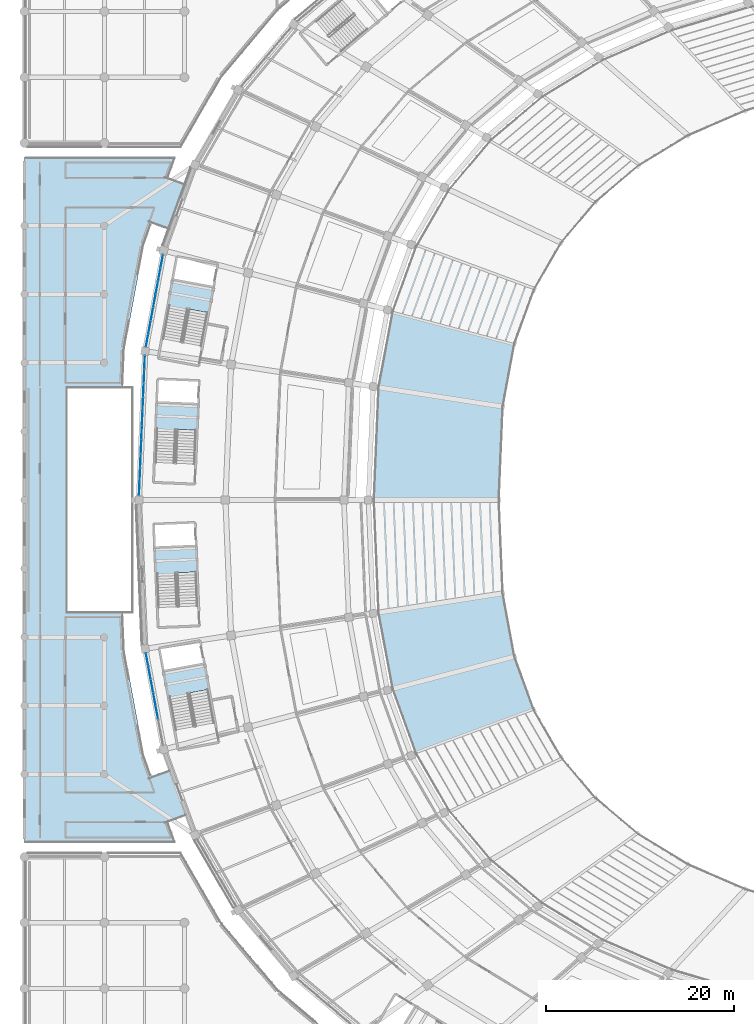
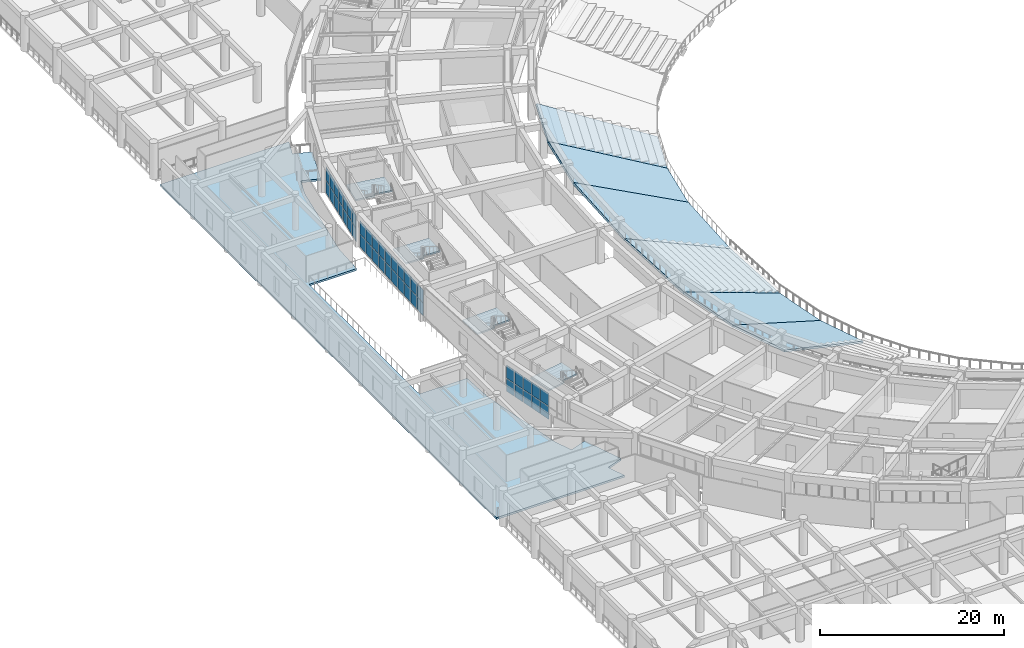
# One storey, part 81 of 152: 44 plates, 11 slabs, 7 elements without a shape of their own.
"""IFC4 building model written with IfcOpenShell, lengths in metres."""

from ifc_helpers import new_model, si_unit, direction, frame, origin, origin_2d, place, context, subcontext, project, spatial, polyline, rectangle, outline, extrude, material, layer, layer_set, type_object, element, aggregate, save


model = new_model("IFC4")

# Units and contexts
model_context = context("Model", 3, precision=1e-05, world=origin(), true_north=direction((0.0, 1.0)))
body_context = subcontext(model_context, "Body", "Model", "MODEL_VIEW")
ifc_project = project(units=[si_unit("LENGTHUNIT", "METRE"), si_unit("AREAUNIT", "SQUARE_METRE"), si_unit("VOLUMEUNIT", "CUBIC_METRE"), si_unit("PLANEANGLEUNIT", "RADIAN"), si_unit("MASSUNIT", "GRAM", prefix="KILO")], contexts=[model_context])

# Site, building, storey
site_placement = place(None, origin())
site = spatial("IfcSite", under=ifc_project, at=site_placement, CompositionType="ELEMENT")
building_placement = place(site_placement, origin())
building = spatial("IfcBuilding", under=site, at=building_placement, Name="Mphavela Belvedere Stadium", CompositionType="ELEMENT")
storey_placement = place(building_placement, frame((0.0, 0.0, 5.39990234375)))
storey = spatial("IfcBuildingStorey", under=building, at=storey_placement, Name="L01", CompositionType="ELEMENT", Elevation=5.39990234375)

# Curtain wall, plates
ifc_material_1 = material(Name="Anodised bronze unitised curtain wall framing")
ifc_layer_1 = layer(ifc_material_1, 0.18505859375)
ifc_layer_set_1 = layer_set([ifc_layer_1], Name="Anodised bronze unitised curtain wall framing")
curtain_wall_type_1 = type_object("IfcCurtainWallType", Name="CW-UNIT-02", PredefinedType="USERDEFINED", material=ifc_layer_set_1)
curtain_wall_1_placement = place(storey_placement, origin())
curtain_wall_1 = element("IfcCurtainWall", 1, at=curtain_wall_1_placement, inside=storey, type_object=curtain_wall_type_1, Name="Belvedere colonnade curtain wall L01-23", ObjectType="UNITISED CURTAIN WALL", PredefinedType="USERDEFINED")
ifc_material_2 = material(Name="Solar-control double glazing", Category="glass")
ifc_layer_2 = layer(ifc_material_2, 0.031982421875)
ifc_layer_set_2 = layer_set([ifc_layer_2], Name="Solar-control double glazing")
plate_type = type_object("IfcPlateType", Name="CWP-SOLAR-GLASS", PredefinedType="CURTAIN_PANEL", material=ifc_layer_set_2)
plate_1_placement = place(storey_placement, frame((14.6240234375, 112.424560546875, 0.06005859375), z_axis=(0.0, 0.0, 1.0), x_axis=(-0.182619524814, -0.983183659932, 0.0)))
plate_1 = element("IfcPlate", 2, at=plate_1_placement, type_object=plate_type, Name="CW-02 panel 1.1", PredefinedType="CURTAIN_PANEL", context=body_context, shape_type="SweptSolid", body=[
    extrude(rectangle(XDim=1.3388671875, YDim=0.031982421875, at=origin_2d()), origin(), (0.0, 0.0, 1.0), 1.695068359375),
])
plate_2_placement = place(storey_placement, frame((14.6240234375, 112.424560546875, 1.81494140625), z_axis=(0.0, 0.0, 1.0), x_axis=(-0.182619524814, -0.983183659932, 0.0)))
plate_2 = element("IfcPlate", 3, at=plate_2_placement, type_object=plate_type, Name="CW-02 panel 1.2", PredefinedType="CURTAIN_PANEL", context=body_context, shape_type="SweptSolid", body=[
    extrude(rectangle(XDim=1.3388671875, YDim=0.031982421875, at=origin_2d()), origin(), (0.0, 0.0, 1.0), 1.695068359375),
])
plate_3_placement = place(storey_placement, frame((14.36474609375, 111.0283203125, 0.06005859375), z_axis=(0.0, 0.0, 1.0), x_axis=(-0.182619524814, -0.983183659932, 0.0)))
plate_3 = element("IfcPlate", 4, at=plate_3_placement, type_object=plate_type, Name="CW-02 panel 2.1", PredefinedType="CURTAIN_PANEL", context=body_context, shape_type="SweptSolid", body=[
    extrude(rectangle(XDim=1.371337890625, YDim=0.031982421875, at=origin_2d()), origin(), (0.0, 0.0, 1.0), 1.695068359375),
])
plate_4_placement = place(storey_placement, frame((14.36474609375, 111.0283203125, 1.81494140625), z_axis=(0.0, 0.0, 1.0), x_axis=(-0.182619524814, -0.983183659932, 0.0)))
plate_4 = element("IfcPlate", 5, at=plate_4_placement, type_object=plate_type, Name="CW-02 panel 2.2", PredefinedType="CURTAIN_PANEL", context=body_context, shape_type="SweptSolid", body=[
    extrude(rectangle(XDim=1.371337890625, YDim=0.031982421875, at=origin_2d()), origin(), (0.0, 0.0, 1.0), 1.695068359375),
])
plate_5_placement = place(storey_placement, frame((14.102294921875, 109.615966796875, 0.06005859375), z_axis=(0.0, 0.0, 1.0), x_axis=(-0.182619524814, -0.983183659932, 0.0)))
plate_5 = element("IfcPlate", 6, at=plate_5_placement, type_object=plate_type, Name="CW-02 panel 3.1", PredefinedType="CURTAIN_PANEL", context=body_context, shape_type="SweptSolid", body=[
    extrude(rectangle(XDim=1.371337890625, YDim=0.031982421875, at=origin_2d()), origin(), (0.0, 0.0, 1.0), 1.695068359375),
])
plate_6_placement = place(storey_placement, frame((14.102294921875, 109.615966796875, 1.81494140625), z_axis=(0.0, 0.0, 1.0), x_axis=(-0.182619524814, -0.983183659932, 0.0)))
plate_6 = element("IfcPlate", 7, at=plate_6_placement, type_object=plate_type, Name="CW-02 panel 3.2", PredefinedType="CURTAIN_PANEL", context=body_context, shape_type="SweptSolid", body=[
    extrude(rectangle(XDim=1.371337890625, YDim=0.031982421875, at=origin_2d()), origin(), (0.0, 0.0, 1.0), 1.695068359375),
])
plate_7_placement = place(storey_placement, frame((13.840087890625, 108.203857421875, 0.06005859375), z_axis=(0.0, 0.0, 1.0), x_axis=(-0.182619524814, -0.983183659932, 0.0)))
plate_7 = element("IfcPlate", 8, at=plate_7_placement, type_object=plate_type, Name="CW-02 panel 4.1", PredefinedType="CURTAIN_PANEL", context=body_context, shape_type="SweptSolid", body=[
    extrude(rectangle(XDim=1.371337890625, YDim=0.031982421875, at=origin_2d()), origin(), (0.0, 0.0, 1.0), 1.695068359375),
])
plate_8_placement = place(storey_placement, frame((13.840087890625, 108.203857421875, 1.81494140625), z_axis=(0.0, 0.0, 1.0), x_axis=(-0.182619524814, -0.983183659932, 0.0)))
plate_8 = element("IfcPlate", 9, at=plate_8_placement, type_object=plate_type, Name="CW-02 panel 4.2", PredefinedType="CURTAIN_PANEL", context=body_context, shape_type="SweptSolid", body=[
    extrude(rectangle(XDim=1.371337890625, YDim=0.031982421875, at=origin_2d()), origin(), (0.0, 0.0, 1.0), 1.695068359375),
])
plate_9_placement = place(storey_placement, frame((13.57763671875, 106.79150390625, 0.06005859375), z_axis=(0.0, 0.0, 1.0), x_axis=(-0.182619524814, -0.983183659932, 0.0)))
plate_9 = element("IfcPlate", 10, at=plate_9_placement, type_object=plate_type, Name="CW-02 panel 5.1", PredefinedType="CURTAIN_PANEL", context=body_context, shape_type="SweptSolid", body=[
    extrude(rectangle(XDim=1.371337890625, YDim=0.031982421875, at=origin_2d()), origin(), (0.0, 0.0, 1.0), 1.695068359375),
])
plate_10_placement = place(storey_placement, frame((13.57763671875, 106.79150390625, 1.81494140625), z_axis=(0.0, 0.0, 1.0), x_axis=(-0.182619524814, -0.983183659932, 0.0)))
plate_10 = element("IfcPlate", 11, at=plate_10_placement, type_object=plate_type, Name="CW-02 panel 5.2", PredefinedType="CURTAIN_PANEL", context=body_context, shape_type="SweptSolid", body=[
    extrude(rectangle(XDim=1.371337890625, YDim=0.031982421875, at=origin_2d()), origin(), (0.0, 0.0, 1.0), 1.695068359375),
])
plate_11_placement = place(storey_placement, frame((13.3154296875, 105.379150390625, 0.06005859375), z_axis=(0.0, 0.0, 1.0), x_axis=(-0.182619524814, -0.983183659932, 0.0)))
plate_11 = element("IfcPlate", 12, at=plate_11_placement, type_object=plate_type, Name="CW-02 panel 6.1", PredefinedType="CURTAIN_PANEL", context=body_context, shape_type="SweptSolid", body=[
    extrude(rectangle(XDim=1.371337890625, YDim=0.031982421875, at=origin_2d()), origin(), (0.0, 0.0, 1.0), 1.695068359375),
])
plate_12_placement = place(storey_placement, frame((13.3154296875, 105.379150390625, 1.81494140625), z_axis=(0.0, 0.0, 1.0), x_axis=(-0.182619524814, -0.983183659932, 0.0)))
plate_12 = element("IfcPlate", 13, at=plate_12_placement, type_object=plate_type, Name="CW-02 panel 6.2", PredefinedType="CURTAIN_PANEL", context=body_context, shape_type="SweptSolid", body=[
    extrude(rectangle(XDim=1.371337890625, YDim=0.031982421875, at=origin_2d()), origin(), (0.0, 0.0, 1.0), 1.695068359375),
])
plate_13_placement = place(storey_placement, frame((13.055908203125, 103.98291015625, 0.06005859375), z_axis=(0.0, 0.0, 1.0), x_axis=(-0.182619524814, -0.983183659932, 0.0)))
plate_13 = element("IfcPlate", 14, at=plate_13_placement, type_object=plate_type, Name="CW-02 panel 7.1", PredefinedType="CURTAIN_PANEL", context=body_context, shape_type="SweptSolid", body=[
    extrude(rectangle(XDim=1.3388671875, YDim=0.031982421875, at=origin_2d()), origin(), (0.0, 0.0, 1.0), 1.695068359375),
])
plate_14_placement = place(storey_placement, frame((13.055908203125, 103.98291015625, 1.81494140625), z_axis=(0.0, 0.0, 1.0), x_axis=(-0.182619524814, -0.983183659932, 0.0)))
plate_14 = element("IfcPlate", 15, at=plate_14_placement, type_object=plate_type, Name="CW-02 panel 7.2", PredefinedType="CURTAIN_PANEL", context=body_context, shape_type="SweptSolid", body=[
    extrude(rectangle(XDim=1.3388671875, YDim=0.031982421875, at=origin_2d()), origin(), (0.0, 0.0, 1.0), 1.695068359375),
])
aggregate(curtain_wall_1, [plate_1, plate_2, plate_3, plate_4, plate_5, plate_6, plate_7, plate_8, plate_9, plate_10, plate_11, plate_12, plate_13, plate_14])

ifc_material_3 = material(Name="Anodised bronze unitised curtain wall framing")
ifc_layer_3 = layer(ifc_material_3, 0.18994140625)
ifc_layer_set_3 = layer_set([ifc_layer_3], Name="Anodised bronze unitised curtain wall framing")
curtain_wall_type_2 = type_object("IfcCurtainWallType", Name="CW-UNIT-03", PredefinedType="USERDEFINED", material=ifc_layer_set_3)
curtain_wall_2_placement = place(storey_placement, origin())
curtain_wall_2 = element("IfcCurtainWall", 16, at=curtain_wall_2_placement, inside=storey, type_object=curtain_wall_type_2, Name="Belvedere colonnade curtain wall L01-24", ObjectType="UNITISED CURTAIN WALL", PredefinedType="USERDEFINED")
plate_15_placement = place(storey_placement, frame((12.794677734375, 101.65625, 0.06005859375), z_axis=(0.0, 0.0, 1.0), x_axis=(-0.04191037006, -0.999121374449, 0.0)))
plate_15 = element("IfcPlate", 17, at=plate_15_placement, type_object=plate_type, Name="CW-03 panel 1.1", PredefinedType="CURTAIN_PANEL", context=body_context, shape_type="SweptSolid", body=[
    extrude(rectangle(XDim=1.40380859375, YDim=0.031982421875, at=origin_2d()), origin(), (0.0, 0.0, 1.0), 1.695068359375),
])
plate_16_placement = place(storey_placement, frame((12.794677734375, 101.65625, 1.81494140625), z_axis=(0.0, 0.0, 1.0), x_axis=(-0.04191037006, -0.999121374449, 0.0)))
plate_16 = element("IfcPlate", 18, at=plate_16_placement, type_object=plate_type, Name="CW-03 panel 1.2", PredefinedType="CURTAIN_PANEL", context=body_context, shape_type="SweptSolid", body=[
    extrude(rectangle(XDim=1.40380859375, YDim=0.031982421875, at=origin_2d()), origin(), (0.0, 0.0, 1.0), 1.695068359375),
])
plate_17_placement = place(storey_placement, frame((12.732421875, 100.17236328125, 0.06005859375), z_axis=(0.0, 0.0, 1.0), x_axis=(-0.04191037006, -0.999121374449, 0.0)))
plate_17 = element("IfcPlate", 19, at=plate_17_placement, type_object=plate_type, Name="CW-03 panel 2.1", PredefinedType="CURTAIN_PANEL", context=body_context, shape_type="SweptSolid", body=[
    extrude(rectangle(XDim=1.436279296875, YDim=0.031982421875, at=origin_2d()), origin(), (0.0, 0.0, 1.0), 1.695068359375),
])
plate_18_placement = place(storey_placement, frame((12.732421875, 100.17236328125, 1.81494140625), z_axis=(0.0, 0.0, 1.0), x_axis=(-0.04191037006, -0.999121374449, 0.0)))
plate_18 = element("IfcPlate", 20, at=plate_18_placement, type_object=plate_type, Name="CW-03 panel 2.2", PredefinedType="CURTAIN_PANEL", context=body_context, shape_type="SweptSolid", body=[
    extrude(rectangle(XDim=1.436279296875, YDim=0.031982421875, at=origin_2d()), origin(), (0.0, 0.0, 1.0), 1.695068359375),
])
plate_19_placement = place(storey_placement, frame((12.669677734375, 98.67236328125, 0.06005859375), z_axis=(0.0, 0.0, 1.0), x_axis=(-0.04191037006, -0.999121374449, 0.0)))
plate_19 = element("IfcPlate", 21, at=plate_19_placement, type_object=plate_type, Name="CW-03 panel 3.1", PredefinedType="CURTAIN_PANEL", context=body_context, shape_type="SweptSolid", body=[
    extrude(rectangle(XDim=1.436279296875, YDim=0.031982421875, at=origin_2d()), origin(), (0.0, 0.0, 1.0), 1.695068359375),
])
plate_20_placement = place(storey_placement, frame((12.669677734375, 98.67236328125, 1.81494140625), z_axis=(0.0, 0.0, 1.0), x_axis=(-0.04191037006, -0.999121374449, 0.0)))
plate_20 = element("IfcPlate", 22, at=plate_20_placement, type_object=plate_type, Name="CW-03 panel 3.2", PredefinedType="CURTAIN_PANEL", context=body_context, shape_type="SweptSolid", body=[
    extrude(rectangle(XDim=1.436279296875, YDim=0.031982421875, at=origin_2d()), origin(), (0.0, 0.0, 1.0), 1.695068359375),
])
plate_21_placement = place(storey_placement, frame((12.606689453125, 97.17236328125, 0.06005859375), z_axis=(0.0, 0.0, 1.0), x_axis=(-0.04191037006, -0.999121374449, 0.0)))
plate_21 = element("IfcPlate", 23, at=plate_21_placement, type_object=plate_type, Name="CW-03 panel 4.1", PredefinedType="CURTAIN_PANEL", context=body_context, shape_type="SweptSolid", body=[
    extrude(rectangle(XDim=1.436279296875, YDim=0.031982421875, at=origin_2d()), origin(), (0.0, 0.0, 1.0), 1.695068359375),
])
plate_22_placement = place(storey_placement, frame((12.606689453125, 97.17236328125, 1.81494140625), z_axis=(0.0, 0.0, 1.0), x_axis=(-0.04191037006, -0.999121374449, 0.0)))
plate_22 = element("IfcPlate", 24, at=plate_22_placement, type_object=plate_type, Name="CW-03 panel 4.2", PredefinedType="CURTAIN_PANEL", context=body_context, shape_type="SweptSolid", body=[
    extrude(rectangle(XDim=1.436279296875, YDim=0.031982421875, at=origin_2d()), origin(), (0.0, 0.0, 1.0), 1.695068359375),
])
plate_23_placement = place(storey_placement, frame((12.543701171875, 95.672607421875, 0.06005859375), z_axis=(0.0, 0.0, 1.0), x_axis=(-0.04191037006, -0.999121374449, 0.0)))
plate_23 = element("IfcPlate", 25, at=plate_23_placement, type_object=plate_type, Name="CW-03 panel 5.1", PredefinedType="CURTAIN_PANEL", context=body_context, shape_type="SweptSolid", body=[
    extrude(rectangle(XDim=1.436279296875, YDim=0.031982421875, at=origin_2d()), origin(), (0.0, 0.0, 1.0), 1.695068359375),
])
plate_24_placement = place(storey_placement, frame((12.543701171875, 95.672607421875, 1.81494140625), z_axis=(0.0, 0.0, 1.0), x_axis=(-0.04191037006, -0.999121374449, 0.0)))
plate_24 = element("IfcPlate", 26, at=plate_24_placement, type_object=plate_type, Name="CW-03 panel 5.2", PredefinedType="CURTAIN_PANEL", context=body_context, shape_type="SweptSolid", body=[
    extrude(rectangle(XDim=1.436279296875, YDim=0.031982421875, at=origin_2d()), origin(), (0.0, 0.0, 1.0), 1.695068359375),
])
plate_25_placement = place(storey_placement, frame((12.48095703125, 94.172607421875, 0.06005859375), z_axis=(0.0, 0.0, 1.0), x_axis=(-0.04191037006, -0.999121374449, 0.0)))
plate_25 = element("IfcPlate", 27, at=plate_25_placement, type_object=plate_type, Name="CW-03 panel 6.1", PredefinedType="CURTAIN_PANEL", context=body_context, shape_type="SweptSolid", body=[
    extrude(rectangle(XDim=1.436279296875, YDim=0.031982421875, at=origin_2d()), origin(), (0.0, 0.0, 1.0), 1.695068359375),
])
plate_26_placement = place(storey_placement, frame((12.48095703125, 94.172607421875, 1.81494140625), z_axis=(0.0, 0.0, 1.0), x_axis=(-0.04191037006, -0.999121374449, 0.0)))
plate_26 = element("IfcPlate", 28, at=plate_26_placement, type_object=plate_type, Name="CW-03 panel 6.2", PredefinedType="CURTAIN_PANEL", context=body_context, shape_type="SweptSolid", body=[
    extrude(rectangle(XDim=1.436279296875, YDim=0.031982421875, at=origin_2d()), origin(), (0.0, 0.0, 1.0), 1.695068359375),
])
plate_27_placement = place(storey_placement, frame((12.41796875, 92.672607421875, 0.06005859375), z_axis=(0.0, 0.0, 1.0), x_axis=(-0.04191037006, -0.999121374449, 0.0)))
plate_27 = element("IfcPlate", 29, at=plate_27_placement, type_object=plate_type, Name="CW-03 panel 7.1", PredefinedType="CURTAIN_PANEL", context=body_context, shape_type="SweptSolid", body=[
    extrude(rectangle(XDim=1.436279296875, YDim=0.031982421875, at=origin_2d()), origin(), (0.0, 0.0, 1.0), 1.695068359375),
])
plate_28_placement = place(storey_placement, frame((12.41796875, 92.672607421875, 1.81494140625), z_axis=(0.0, 0.0, 1.0), x_axis=(-0.04191037006, -0.999121374449, 0.0)))
plate_28 = element("IfcPlate", 30, at=plate_28_placement, type_object=plate_type, Name="CW-03 panel 7.2", PredefinedType="CURTAIN_PANEL", context=body_context, shape_type="SweptSolid", body=[
    extrude(rectangle(XDim=1.436279296875, YDim=0.031982421875, at=origin_2d()), origin(), (0.0, 0.0, 1.0), 1.695068359375),
])
plate_29_placement = place(storey_placement, frame((12.35498046875, 91.172607421875, 0.06005859375), z_axis=(0.0, 0.0, 1.0), x_axis=(-0.04191037006, -0.999121374449, 0.0)))
plate_29 = element("IfcPlate", 31, at=plate_29_placement, type_object=plate_type, Name="CW-03 panel 8.1", PredefinedType="CURTAIN_PANEL", context=body_context, shape_type="SweptSolid", body=[
    extrude(rectangle(XDim=1.436279296875, YDim=0.031982421875, at=origin_2d()), origin(), (0.0, 0.0, 1.0), 1.695068359375),
])
plate_30_placement = place(storey_placement, frame((12.35498046875, 91.172607421875, 1.81494140625), z_axis=(0.0, 0.0, 1.0), x_axis=(-0.04191037006, -0.999121374449, 0.0)))
plate_30 = element("IfcPlate", 32, at=plate_30_placement, type_object=plate_type, Name="CW-03 panel 8.2", PredefinedType="CURTAIN_PANEL", context=body_context, shape_type="SweptSolid", body=[
    extrude(rectangle(XDim=1.436279296875, YDim=0.031982421875, at=origin_2d()), origin(), (0.0, 0.0, 1.0), 1.695068359375),
])
plate_31_placement = place(storey_placement, frame((12.2919921875, 89.672607421875, 0.06005859375), z_axis=(0.0, 0.0, 1.0), x_axis=(-0.04191037006, -0.999121374449, 0.0)))
plate_31 = element("IfcPlate", 33, at=plate_31_placement, type_object=plate_type, Name="CW-03 panel 9.1", PredefinedType="CURTAIN_PANEL", context=body_context, shape_type="SweptSolid", body=[
    extrude(rectangle(XDim=1.436279296875, YDim=0.031982421875, at=origin_2d()), origin(), (0.0, 0.0, 1.0), 1.695068359375),
])
plate_32_placement = place(storey_placement, frame((12.2919921875, 89.672607421875, 1.81494140625), z_axis=(0.0, 0.0, 1.0), x_axis=(-0.04191037006, -0.999121374449, 0.0)))
plate_32 = element("IfcPlate", 34, at=plate_32_placement, type_object=plate_type, Name="CW-03 panel 9.2", PredefinedType="CURTAIN_PANEL", context=body_context, shape_type="SweptSolid", body=[
    extrude(rectangle(XDim=1.436279296875, YDim=0.031982421875, at=origin_2d()), origin(), (0.0, 0.0, 1.0), 1.695068359375),
])
plate_33_placement = place(storey_placement, frame((12.229736328125, 88.188720703125, 0.06005859375), z_axis=(0.0, 0.0, 1.0), x_axis=(-0.04191037006, -0.999121374449, 0.0)))
plate_33 = element("IfcPlate", 35, at=plate_33_placement, type_object=plate_type, Name="CW-03 panel 10.1", PredefinedType="CURTAIN_PANEL", context=body_context, shape_type="SweptSolid", body=[
    extrude(rectangle(XDim=1.40380859375, YDim=0.031982421875, at=origin_2d()), origin(), (0.0, 0.0, 1.0), 1.695068359375),
])
plate_34_placement = place(storey_placement, frame((12.229736328125, 88.188720703125, 1.81494140625), z_axis=(0.0, 0.0, 1.0), x_axis=(-0.04191037006, -0.999121374449, 0.0)))
plate_34 = element("IfcPlate", 36, at=plate_34_placement, type_object=plate_type, Name="CW-03 panel 10.2", PredefinedType="CURTAIN_PANEL", context=body_context, shape_type="SweptSolid", body=[
    extrude(rectangle(XDim=1.40380859375, YDim=0.031982421875, at=origin_2d()), origin(), (0.0, 0.0, 1.0), 1.695068359375),
])
aggregate(curtain_wall_2, [plate_15, plate_16, plate_17, plate_18, plate_19, plate_20, plate_21, plate_22, plate_23, plate_24, plate_25, plate_26, plate_27, plate_28, plate_29, plate_30, plate_31, plate_32, plate_33, plate_34])

ifc_material_4 = material(Name="Anodised bronze unitised curtain wall framing")
ifc_layer_4 = layer(ifc_material_4, 0.195068359375)
ifc_layer_set_4 = layer_set([ifc_layer_4], Name="Anodised bronze unitised curtain wall framing")
curtain_wall_type_3 = type_object("IfcCurtainWallType", Name="CW-UNIT-04", PredefinedType="USERDEFINED", material=ifc_layer_set_4)
curtain_wall_3_placement = place(storey_placement, origin())
curtain_wall_3 = element("IfcCurtainWall", 37, at=curtain_wall_3_placement, inside=storey, type_object=curtain_wall_type_3, Name="Belvedere colonnade curtain wall L01-26", ObjectType="UNITISED CURTAIN WALL", PredefinedType="USERDEFINED")
plate_35_placement = place(storey_placement, frame((13.055908203125, 70.01708984375, 0.06005859375), z_axis=(0.0, 0.0, 1.0), x_axis=(0.182619524814, -0.983183659932, 0.0)))
plate_35 = element("IfcPlate", 38, at=plate_35_placement, type_object=plate_type, Name="CW-04 panel 1.1", PredefinedType="CURTAIN_PANEL", context=body_context, shape_type="SweptSolid", body=[
    extrude(rectangle(XDim=1.3388671875, YDim=0.031982421875, at=origin_2d()), origin(), (0.0, 0.0, 1.0), 1.695068359375),
])
plate_36_placement = place(storey_placement, frame((13.055908203125, 70.01708984375, 1.81494140625), z_axis=(0.0, 0.0, 1.0), x_axis=(0.182619524814, -0.983183659932, 0.0)))
plate_36 = element("IfcPlate", 39, at=plate_36_placement, type_object=plate_type, Name="CW-04 panel 1.2", PredefinedType="CURTAIN_PANEL", context=body_context, shape_type="SweptSolid", body=[
    extrude(rectangle(XDim=1.3388671875, YDim=0.031982421875, at=origin_2d()), origin(), (0.0, 0.0, 1.0), 1.695068359375),
])
plate_37_placement = place(storey_placement, frame((13.3154296875, 68.620849609375, 0.06005859375), z_axis=(0.0, 0.0, 1.0), x_axis=(0.182619524814, -0.983183659932, 0.0)))
plate_37 = element("IfcPlate", 40, at=plate_37_placement, type_object=plate_type, Name="CW-04 panel 2.1", PredefinedType="CURTAIN_PANEL", context=body_context, shape_type="SweptSolid", body=[
    extrude(rectangle(XDim=1.371337890625, YDim=0.031982421875, at=origin_2d()), origin(), (0.0, 0.0, 1.0), 1.695068359375),
])
plate_38_placement = place(storey_placement, frame((13.3154296875, 68.620849609375, 1.81494140625), z_axis=(0.0, 0.0, 1.0), x_axis=(0.182619524814, -0.983183659932, 0.0)))
plate_38 = element("IfcPlate", 41, at=plate_38_placement, type_object=plate_type, Name="CW-04 panel 2.2", PredefinedType="CURTAIN_PANEL", context=body_context, shape_type="SweptSolid", body=[
    extrude(rectangle(XDim=1.371337890625, YDim=0.031982421875, at=origin_2d()), origin(), (0.0, 0.0, 1.0), 1.695068359375),
])
plate_39_placement = place(storey_placement, frame((13.57763671875, 67.20849609375, 0.06005859375), z_axis=(0.0, 0.0, 1.0), x_axis=(0.182619524814, -0.983183659932, 0.0)))
plate_39 = element("IfcPlate", 42, at=plate_39_placement, type_object=plate_type, Name="CW-04 panel 3.1", PredefinedType="CURTAIN_PANEL", context=body_context, shape_type="SweptSolid", body=[
    extrude(rectangle(XDim=1.371337890625, YDim=0.031982421875, at=origin_2d()), origin(), (0.0, 0.0, 1.0), 1.695068359375),
])
plate_40_placement = place(storey_placement, frame((13.57763671875, 67.20849609375, 1.81494140625), z_axis=(0.0, 0.0, 1.0), x_axis=(0.182619524814, -0.983183659932, 0.0)))
plate_40 = element("IfcPlate", 43, at=plate_40_placement, type_object=plate_type, Name="CW-04 panel 3.2", PredefinedType="CURTAIN_PANEL", context=body_context, shape_type="SweptSolid", body=[
    extrude(rectangle(XDim=1.371337890625, YDim=0.031982421875, at=origin_2d()), origin(), (0.0, 0.0, 1.0), 1.695068359375),
])
plate_41_placement = place(storey_placement, frame((13.840087890625, 65.796142578125, 0.06005859375), z_axis=(0.0, 0.0, 1.0), x_axis=(0.182619524814, -0.983183659932, 0.0)))
plate_41 = element("IfcPlate", 44, at=plate_41_placement, type_object=plate_type, Name="CW-04 panel 4.1", PredefinedType="CURTAIN_PANEL", context=body_context, shape_type="SweptSolid", body=[
    extrude(rectangle(XDim=1.371337890625, YDim=0.031982421875, at=origin_2d()), origin(), (0.0, 0.0, 1.0), 1.695068359375),
])
plate_42_placement = place(storey_placement, frame((13.840087890625, 65.796142578125, 1.81494140625), z_axis=(0.0, 0.0, 1.0), x_axis=(0.182619524814, -0.983183659932, 0.0)))
plate_42 = element("IfcPlate", 45, at=plate_42_placement, type_object=plate_type, Name="CW-04 panel 4.2", PredefinedType="CURTAIN_PANEL", context=body_context, shape_type="SweptSolid", body=[
    extrude(rectangle(XDim=1.371337890625, YDim=0.031982421875, at=origin_2d()), origin(), (0.0, 0.0, 1.0), 1.695068359375),
])
plate_43_placement = place(storey_placement, frame((14.102294921875, 64.384033203125, 0.06005859375), z_axis=(0.0, 0.0, 1.0), x_axis=(0.182619524814, -0.983183659932, 0.0)))
plate_43 = element("IfcPlate", 46, at=plate_43_placement, type_object=plate_type, Name="CW-04 panel 5.1", PredefinedType="CURTAIN_PANEL", context=body_context, shape_type="SweptSolid", body=[
    extrude(rectangle(XDim=1.371337890625, YDim=0.031982421875, at=origin_2d()), origin(), (0.0, 0.0, 1.0), 1.695068359375),
])
plate_44_placement = place(storey_placement, frame((14.102294921875, 64.384033203125, 1.81494140625), z_axis=(0.0, 0.0, 1.0), x_axis=(0.182619524814, -0.983183659932, 0.0)))
plate_44 = element("IfcPlate", 47, at=plate_44_placement, type_object=plate_type, Name="CW-04 panel 5.2", PredefinedType="CURTAIN_PANEL", context=body_context, shape_type="SweptSolid", body=[
    extrude(rectangle(XDim=1.371337890625, YDim=0.031982421875, at=origin_2d()), origin(), (0.0, 0.0, 1.0), 1.695068359375),
])
aggregate(curtain_wall_3, [plate_35, plate_36, plate_37, plate_38, plate_39, plate_40, plate_41, plate_42, plate_43, plate_44])

# Stair, slab
ifc_material_5 = material(Name="Concrete C40/50", Category="concrete")
stair_type_1 = type_object("IfcStairType", Name="STR-HALF-TURN-3", PredefinedType="HALF_TURN_STAIR", material=ifc_material_5)
stair_1_placement = place(storey_placement, origin())
stair_1 = element("IfcStair", 48, at=stair_1_placement, inside=storey, type_object=stair_type_1, Name="L01 Escape stair core C06", PredefinedType="HALF_TURN_STAIR")
ifc_material_6 = material(Name="Concrete C40/50", Category="concrete")
ifc_layer_5 = layer(ifc_material_6, 0.199951171875)
ifc_layer_set_5 = layer_set([ifc_layer_5], Name="Concrete C40/50")
slab_type_1 = type_object("IfcSlabType", Name="SLB-LANDING-200", PredefinedType="LANDING", material=ifc_layer_set_5)
slab_1_placement = place(storey_placement, frame((0.0, 0.0, 2.2001953125)))
slab_1 = element("IfcSlab", 49, at=slab_1_placement, type_object=slab_type_1, Name="ST-C06 landing 1", PredefinedType="LANDING", context=body_context, shape_type="SweptSolid", body=[
    extrude(outline(polyline([(19.62353515625, 106.930419921875), (20.113037109375, 109.56640625), (15.757568359375, 110.375244140625), (15.203125, 107.39013671875), (17.381103515625, 106.98583984375), (17.44580078125, 107.334716796875), (19.62353515625, 106.930419921875)])), origin(), (0.0, 0.0, 1.0), 0.199951171875),
])
aggregate(stair_1, [slab_1])

ifc_material_7 = material(Name="Concrete C40/50", Category="concrete")
stair_type_2 = type_object("IfcStairType", Name="STR-HALF-TURN-1", PredefinedType="HALF_TURN_STAIR", material=ifc_material_7)
stair_2_placement = place(storey_placement, origin())
stair_2 = element("IfcStair", 50, at=stair_2_placement, inside=storey, type_object=stair_type_2, Name="L01 Escape stair core C07", PredefinedType="HALF_TURN_STAIR")
slab_2_placement = place(storey_placement, frame((0.0, 0.0, 2.2001953125)))
slab_2 = element("IfcSlab", 51, at=slab_2_placement, type_object=slab_type_1, Name="ST-C07 landing 1", PredefinedType="LANDING", context=body_context, shape_type="SweptSolid", body=[
    extrude(outline(polyline([(18.394287109375, 94.434326171875), (18.506591796875, 97.113037109375), (14.08056640625, 97.298583984375), (13.95361328125, 94.26513671875), (16.16650390625, 94.17236328125), (16.181396484375, 94.527099609375), (18.394287109375, 94.434326171875)])), origin(), (0.0, 0.0, 1.0), 0.199951171875),
])
aggregate(stair_2, [slab_2])

ifc_material_8 = material(Name="Concrete C40/50", Category="concrete")
stair_type_3 = type_object("IfcStairType", Name="STR-HALF-TURN-2", PredefinedType="HALF_TURN_STAIR", material=ifc_material_8)
stair_3_placement = place(storey_placement, origin())
stair_3 = element("IfcStair", 52, at=stair_3_placement, inside=storey, type_object=stair_type_3, Name="L01 Escape stair core C08", PredefinedType="HALF_TURN_STAIR")
slab_3_placement = place(storey_placement, frame((0.0, 0.0, 2.2001953125)))
slab_3 = element("IfcSlab", 53, at=slab_3_placement, type_object=slab_type_1, Name="ST-C08 landing 1", PredefinedType="LANDING", context=body_context, shape_type="SweptSolid", body=[
    extrude(outline(polyline([(18.40380859375, 79.343994140625), (18.29150390625, 82.0224609375), (13.865234375, 81.8369140625), (13.992431640625, 78.8037109375), (16.20556640625, 78.896484375), (16.190673828125, 79.251220703125), (18.40380859375, 79.343994140625)])), origin(), (0.0, 0.0, 1.0), 0.199951171875),
])
aggregate(stair_3, [slab_3])

stair_4_placement = place(storey_placement, origin())
stair_4 = element("IfcStair", 54, at=stair_4_placement, inside=storey, type_object=stair_type_1, Name="L01 Escape stair core C09", PredefinedType="HALF_TURN_STAIR")
slab_4_placement = place(storey_placement, frame((0.0, 0.0, 2.2001953125)))
slab_4 = element("IfcSlab", 55, at=slab_4_placement, type_object=slab_type_1, Name="ST-C09 landing 1", PredefinedType="LANDING", context=body_context, shape_type="SweptSolid", body=[
    extrude(outline(polyline([(19.6640625, 66.851318359375), (19.174560546875, 69.4873046875), (14.819091796875, 68.678466796875), (15.373291015625, 65.693603515625), (17.551025390625, 66.097900390625), (17.486328125, 66.447021484375), (19.6640625, 66.851318359375)])), origin(), (0.0, 0.0, 1.0), 0.199951171875),
])
aggregate(stair_4, [slab_4])

# Slabs
ifc_material_9 = material(Name="Concrete C40/50", Category="concrete")
ifc_layer_6 = layer(ifc_material_9, 0.260009765625)
ifc_layer_set_6 = layer_set([ifc_layer_6], Name="Concrete C40/50")
slab_type_2 = type_object("IfcSlabType", Name="SLB-PAVILION-260", PredefinedType="FLOOR", material=ifc_layer_set_6)
slab_5_placement = place(storey_placement, frame((0.0, 0.0, -0.260009765625)))
element("IfcSlab", 56, at=slab_5_placement, inside=storey, type_object=slab_type_2, Name="West Planted Eaves Peristyle Colonnade floor slab L01-1", PredefinedType="FLOOR", context=body_context, shape_type="SweptSolid", body=[
    extrude(outline(polyline([(17.376220703125, 120.56640625), (15.60302734375, 115.67822265625), (13.534912109375, 116.428466796875), (12.767333984375, 114.312744140625), (12.712646484375, 114.140380859375), (12.67236328125, 113.96435546875), (10.681640625, 103.246826171875), (10.646484375, 102.937255859375), (10.4814453125, 99.0), (4.5, 99.0), (4.5, 75.0), (10.4814453125, 75.0), (10.646484375, 71.062744140625), (10.681640625, 70.753173828125), (12.67236328125, 60.03564453125), (12.712646484375, 59.859619140625), (12.767333984375, 59.687255859375), (13.534912109375, 57.571533203125), (15.60302734375, 58.32177734375), (17.376220703125, 53.43359375), (15.30810546875, 52.68310546875), (16.103759765625, 50.5), (0.0, 50.5), (0.0, 123.5), (16.103759765625, 123.5), (15.30810546875, 121.31689453125), (17.376220703125, 120.56640625)])), origin(), (0.0, 0.0, 1.0), 0.260009765625),
])
ifc_material_10 = material(Name="Precast concrete C45/55", Category="concrete")
ifc_layer_7 = layer(ifc_material_10, 0.25)
ifc_layer_set_7 = layer_set([ifc_layer_7], Name="Precast concrete C45/55")
slab_type_3 = type_object("IfcSlabType", Name="SLB-TIER-LOWER", PredefinedType="USERDEFINED", material=ifc_layer_set_7)
slab_6_placement = place(storey_placement, frame((54.236572265625, 109.385498046875, -4.099853515625), z_axis=(0.385588202094, -0.139889096454, 0.91200481309), x_axis=(-0.341052005583, -0.94004442952, 4.017283e-06)))
element("IfcSlab", 57, at=slab_6_placement, inside=storey, type_object=slab_type_3, Name="Lower seating tier slab L01-22", ObjectType="SEATING TIER", PredefinedType="USERDEFINED", context=body_context, shape_type="SweptSolid", body=[
    extrude(outline(polyline([(0.0, 0.0), (6.086090164267456, 4.440892098500626e-16), (7.274033916432209, -14.627671060983982), (-0.06589330044721721, -14.627802554901951), (0.0, 0.0)])), origin(), (0.0, 0.0, -1.0), 0.25),
])
slab_7_placement = place(storey_placement, frame((52.160888671875, 103.664306640625, -4.099853515625), z_axis=(0.402916392362, -0.074845519853, 0.912171326519), x_axis=(-0.182635085802, -0.983180769459, -6.479e-09)))
element("IfcSlab", 58, at=slab_7_placement, inside=storey, type_object=slab_type_3, Name="Lower seating tier slab L01-23", ObjectType="SEATING TIER", PredefinedType="USERDEFINED", context=body_context, shape_type="SweptSolid", body=[
    extrude(outline(polyline([(0.0, 0.0), (6.838902019197954, -2.220446049250313e-16), (7.236847572605164, -14.640964624101178), (-1.0110058788061629, -14.640964385599526), (0.0, 0.0)])), origin(), (0.0, 0.0, -1.0), 0.25),
])
slab_8_placement = place(storey_placement, frame((50.911865234375, 96.9404296875, -4.099853515625), z_axis=(0.411440307407, -0.017250993072, 0.911273436834), x_axis=(-0.041888388665, -0.999122296265, -1.404959e-06)))
element("IfcSlab", 59, at=slab_8_placement, inside=storey, type_object=slab_type_3, Name="Lower seating tier slab L01-24", ObjectType="SEATING TIER", PredefinedType="USERDEFINED", context=body_context, shape_type="SweptSolid", body=[
    extrude(outline(polyline([(0.0, 0.0), (9.949161839394826, -1.1102230246251565e-16), (10.50581082463708, -14.570151819246764), (-1.4930049536927223, -14.570076938563929), (0.0, 0.0)])), origin(), (0.0, 0.0, -1.0), 0.25),
])
slab_9_placement = place(storey_placement, frame((50.4951171875, 87.0, -4.099853515625), z_axis=(0.411440307407, 0.017250993072, 0.911273436834), x_axis=(0.041888388665, -0.999122296265, 1.404959e-06)))
element("IfcSlab", 60, at=slab_9_placement, inside=storey, type_object=slab_type_3, Name="Lower seating tier slab L01-25", ObjectType="SEATING TIER", PredefinedType="USERDEFINED", context=body_context, shape_type="SweptSolid", body=[
    extrude(outline(polyline([(0.0, 0.0), (9.949161839394826, 1.1102230246251565e-16), (11.442166793087548, -14.570076938563929), (-0.5566489852422549, -14.570151819246764), (0.0, 0.0)])), origin(), (0.0, 0.0, -1.0), 0.25),
])
slab_10_placement = place(storey_placement, frame((50.911865234375, 77.0595703125, -4.099853515625), z_axis=(0.402916392362, 0.074845519853, 0.912171326519), x_axis=(0.182635085802, -0.983180769459, 6.479e-09)))
element("IfcSlab", 61, at=slab_10_placement, inside=storey, type_object=slab_type_3, Name="Lower seating tier slab L01-26", ObjectType="SEATING TIER", PredefinedType="USERDEFINED", context=body_context, shape_type="SweptSolid", body=[
    extrude(outline(polyline([(0.0, 0.0), (6.838902019197954, 2.220446049250313e-16), (7.849907898004117, -14.640964385599526), (-0.3979455534072106, -14.640964624101178), (0.0, 0.0)])), origin(), (0.0, 0.0, -1.0), 0.25),
])
slab_11_placement = place(storey_placement, frame((52.160888671875, 70.335693359375, -4.099853515625), z_axis=(0.385588202094, 0.139889096454, 0.91200481309), x_axis=(0.341052005583, -0.94004442952, -4.017283e-06)))
element("IfcSlab", 62, at=slab_11_placement, inside=storey, type_object=slab_type_3, Name="Lower seating tier slab L01-27", ObjectType="SEATING TIER", PredefinedType="USERDEFINED", context=body_context, shape_type="SweptSolid", body=[
    extrude(outline(polyline([(0.0, 0.0), (6.086090164267456, -4.440892098500626e-16), (6.151983464714673, -14.627802554901951), (-1.1879437521647533, -14.627671060983982), (0.0, 0.0)])), origin(), (0.0, 0.0, -1.0), 0.25),
])

save(model, "model.ifc")
